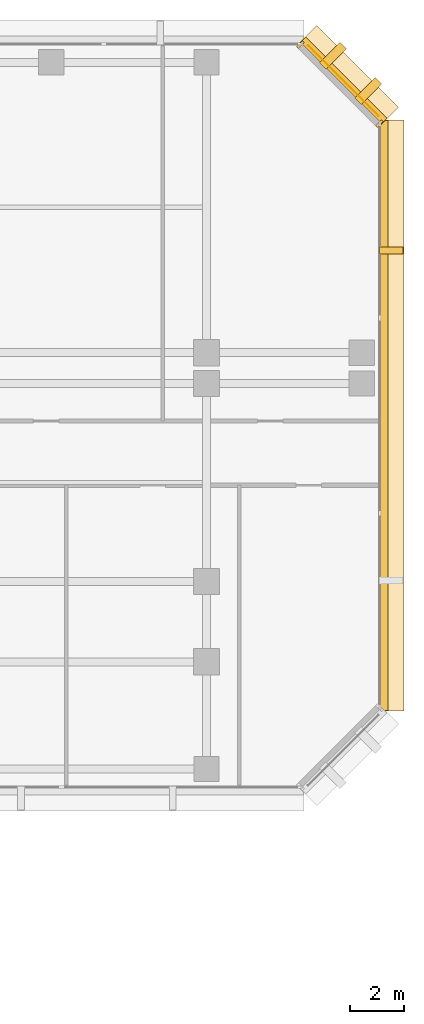
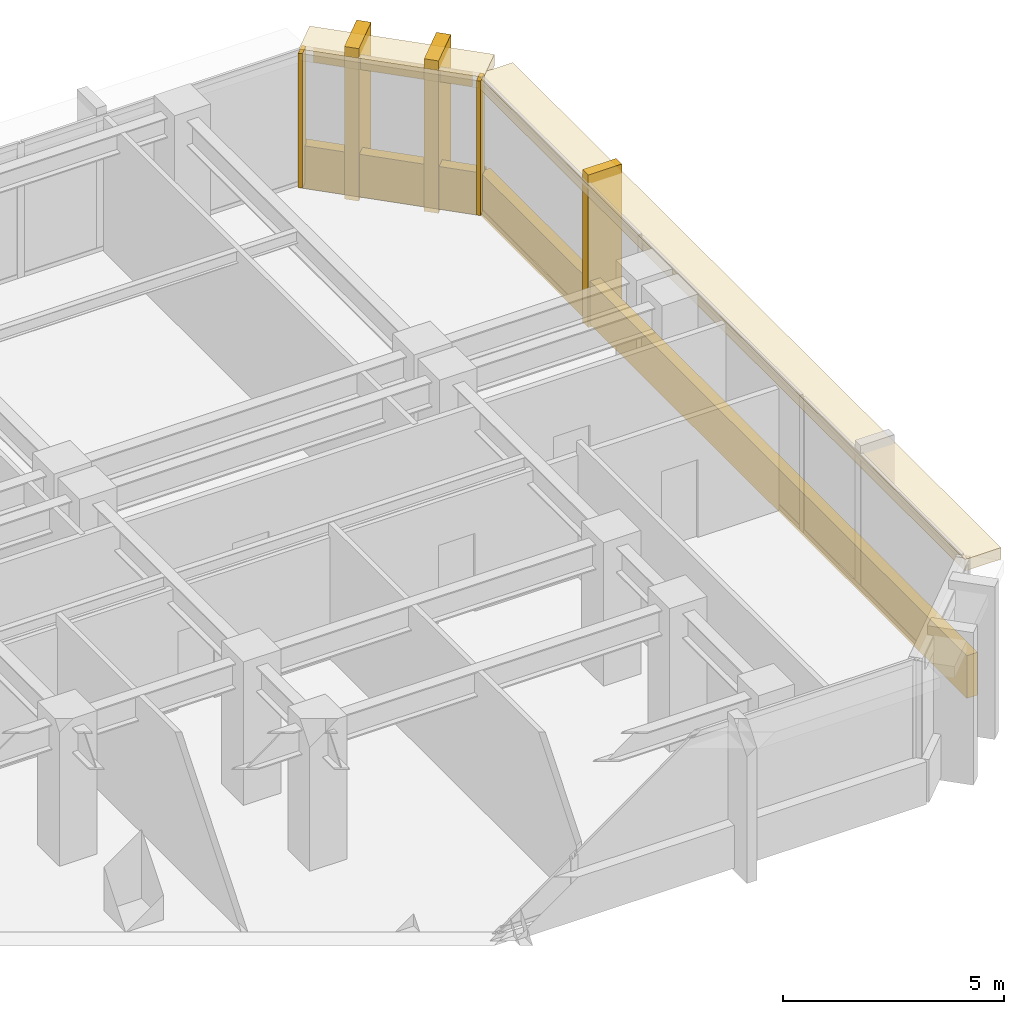
# One storey, part 14 of 14: 10 coverings.
"""IFC4 building model written with IfcOpenShell, lengths in metres."""

from ifc_helpers import new_model, si_unit, direction, frame, origin, origin_2d, place, context, subcontext, project, spatial, rectangle, extrude, material, layer, layer_set, type_object, element, save


model = new_model("IFC4")

# Units and contexts
model_context = context("Model", 3, precision=1e-05, world=origin(), true_north=direction((0.0, 1.0)))
body_context = subcontext(model_context, "Body", "Model", "MODEL_VIEW")
ifc_project = project(units=[si_unit("LENGTHUNIT", "METRE"), si_unit("AREAUNIT", "SQUARE_METRE"), si_unit("VOLUMEUNIT", "CUBIC_METRE"), si_unit("PLANEANGLEUNIT", "RADIAN"), si_unit("MASSUNIT", "GRAM", prefix="KILO")], contexts=[model_context])

# Site, building, storey
site_placement = place(None, origin())
site = spatial("IfcSite", under=ifc_project, at=site_placement, CompositionType="ELEMENT")
building_placement = place(site_placement, origin())
building = spatial("IfcBuilding", under=site, at=building_placement, Name="Kefirva Bronze Tower", CompositionType="ELEMENT")
storey_placement = place(building_placement, frame((0.0, 0.0, 66.0)))
storey = spatial("IfcBuildingStorey", under=building, at=storey_placement, Name="L15", CompositionType="ELEMENT", Elevation=66.0)

# Coverings
ifc_material = material(Name="Bronze anodised aluminium", Category="aluminium")
ifc_layer_1 = layer(ifc_material, 0.02001953125, Name="Bronze anodised aluminium")
ifc_layer_set_1 = layer_set([ifc_layer_1], Name="Bronze anodised aluminium")
covering_type_1 = type_object("IfcCoveringType", Name="Anodised Bronze Spandrel Cladding 20mm", PredefinedType="CLADDING", material=ifc_layer_set_1)
covering_1_placement = place(storey_placement, frame((56.0400390625, 32.0, -0.16015625), z_axis=(0.0, 0.0, 1.0), x_axis=(0.0, 1.0, 0.0)))
element("IfcCovering", 1, at=covering_1_placement, inside=storey, type_object=covering_type_1, Name="L15 Streamline Horizontal Spandrel Band 10", PredefinedType="CLADDING", context=body_context, shape_type="SweptSolid", body=[
    extrude(rectangle(XDim=22.0400390625, YDim=0.280029296875, at=origin_2d()), origin(), (0.0, 0.0, 1.0), 1.179931640625),
])
covering_2_placement = place(storey_placement, frame((54.507080078125, 44.507080078125, 3.2900390625), z_axis=(0.0, 0.0, 1.0), x_axis=(-0.707106781187, 0.707106781187, 0.0)))
element("IfcCovering", 2, at=covering_2_placement, inside=storey, type_object=covering_type_1, Name="L15 Bronze Spandrel Cladding 8", PredefinedType="CLADDING", context=body_context, shape_type="SweptSolid", body=[
    extrude(rectangle(XDim=3.719482421875, YDim=0.02001953125, at=origin_2d()), origin(), (0.0, 0.0, 1.0), 0.39990234375),
])
for number, where, z_axis, x_axis, name in (
    (3, (55.862060546875, 42.91162109375, 0.0), (0.0, 0.0, 1.0), (-0.707106781187, 0.707106781187, 0.0), "L15 Facade Joint Closure Panel 8S"),
    (4, (52.91162109375, 45.862060546875, 0.0), (0.0, 0.0, 1.0), (-0.707106781187, 0.707106781187, 0.0), "L15 Facade Joint Closure Panel 8E"),
):
    element("IfcCovering", number, at=place(storey_placement, frame(where, z_axis=z_axis, x_axis=x_axis)), inside=storey, type_object=covering_type_1, Name=name, PredefinedType="CLADDING", context=body_context, shape_type="SweptSolid", body=[
        extrude(rectangle(XDim=0.10009765625, YDim=0.320068359375, at=origin_2d()), origin(), (0.0, 0.0, 1.0), 3.7099609375),
    ])
covering_3_placement = place(storey_placement, frame((54.5283203125, 44.5283203125, -0.16015625), z_axis=(0.0, 0.0, 1.0), x_axis=(-0.707106781187, 0.707106781187, 0.0)))
element("IfcCovering", 5, at=covering_3_placement, inside=storey, type_object=covering_type_1, Name="L15 Streamline Horizontal Spandrel Band 11", PredefinedType="CLADDING", context=body_context, shape_type="SweptSolid", body=[
    extrude(rectangle(XDim=4.28271484375, YDim=0.280029296875, at=origin_2d()), origin(), (0.0, 0.0, 1.0), 1.179931640625),
])
ifc_layer_2 = layer(ifc_material, 0.179931640625, Name="Bronze anodised aluminium")
ifc_layer_set_2 = layer_set([ifc_layer_2], Name="Bronze anodised aluminium")
covering_type_2 = type_object("IfcCoveringType", Name="Streamline Bronze Sunshade Eyebrow Cladding 180mm", PredefinedType="CLADDING", material=ifc_layer_set_2)
covering_4_placement = place(storey_placement, frame((56.31005859375, 32.0, 3.39013671875), z_axis=(0.0, 0.0, 1.0), x_axis=(0.0, 1.0, 0.0)))
element("IfcCovering", 6, at=covering_4_placement, inside=storey, type_object=covering_type_2, Name="L15 Streamline Bronze Sunshade Eyebrow 10", PredefinedType="CLADDING", context=body_context, shape_type="SweptSolid", body=[
    extrude(rectangle(XDim=22.080078125, YDim=0.93994140625, at=origin_2d()), origin(), (0.0, 0.0, 1.0), 0.320068359375),
])
covering_5_placement = place(storey_placement, frame((54.71923828125, 44.71923828125, 3.39013671875), z_axis=(0.0, 0.0, 1.0), x_axis=(-0.707106781187, 0.707106781187, 0.0)))
element("IfcCovering", 7, at=covering_5_placement, inside=storey, type_object=covering_type_2, Name="L15 Streamline Bronze Sunshade Eyebrow 11", PredefinedType="CLADDING", context=body_context, shape_type="SweptSolid", body=[
    extrude(rectangle(XDim=4.322509765625, YDim=0.93994140625, at=origin_2d()), origin(), (0.0, 0.0, 1.0), 0.320068359375),
])
ifc_layer_3 = layer(ifc_material, 0.260009765625, Name="Bronze anodised aluminium")
ifc_layer_set_3 = layer_set([ifc_layer_3], Name="Bronze anodised aluminium")
covering_type_3 = type_object("IfcCoveringType", Name="Unbroken Bronze Buttress Fin Cladding 260mm", PredefinedType="CLADDING", material=ifc_layer_set_3)
covering_6_placement = place(storey_placement, frame((56.300048828125, 38.159912109375, -0.25), z_axis=(0.0, 0.0, 1.0), x_axis=(0.0, 1.0, 0.0)))
element("IfcCovering", 8, at=covering_6_placement, inside=storey, type_object=covering_type_3, Name="L15 Unbroken Vertical Bronze Rib Fin 16", PredefinedType="CLADDING", context=body_context, shape_type="SweptSolid", body=[
    extrude(rectangle(XDim=0.260009765625, YDim=0.8798828125, at=origin_2d()), origin(), (0.0, 0.0, 1.0), 4.2099609375),
])
for number, where, z_axis, x_axis, name in (
    (9, (55.44287109375, 44.122802734375, -0.25), (0.0, 0.0, 1.0), (-0.707106781187, 0.707106781187, 0.0), "L15 Chamfered Corner Buttress Fin Cladding 17"),
    (10, (54.122802734375, 45.44287109375, -0.25), (0.0, 0.0, 1.0), (-0.707106781187, 0.707106781187, 0.0), "L15 Chamfered Corner Buttress Fin Cladding 18"),
):
    element("IfcCovering", number, at=place(storey_placement, frame(where, z_axis=z_axis, x_axis=x_axis)), inside=storey, type_object=covering_type_3, Name=name, PredefinedType="CLADDING", context=body_context, shape_type="SweptSolid", body=[
        extrude(rectangle(XDim=0.340087890625, YDim=1.080078125, at=origin_2d()), origin(), (0.0, 0.0, 1.0), 4.2099609375),
    ])

save(model, "model.ifc")
